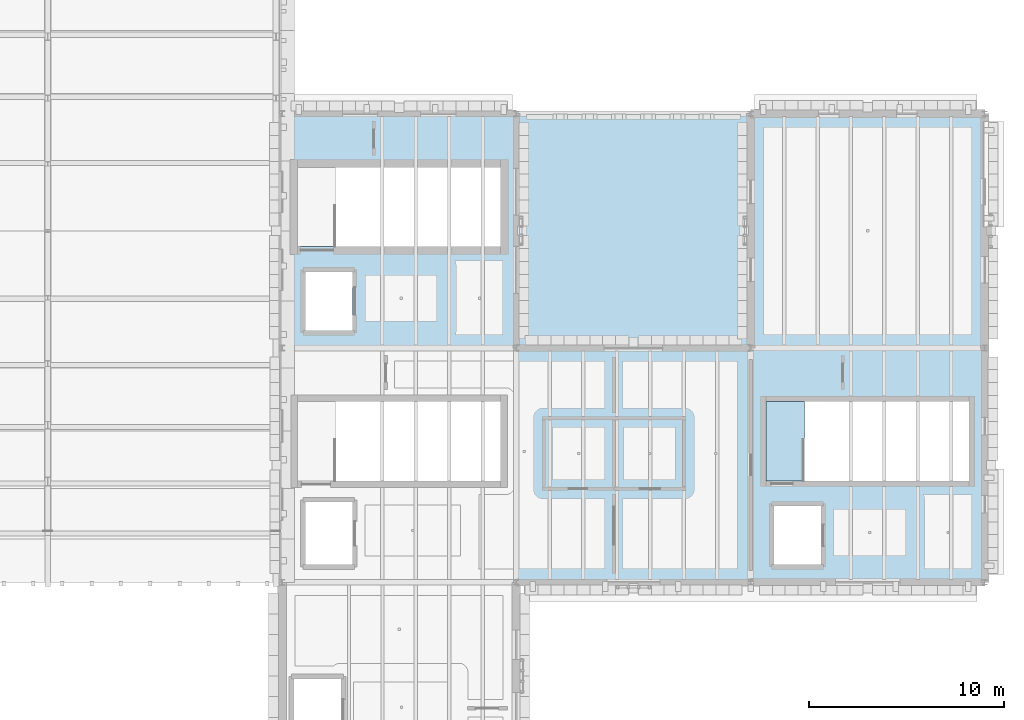
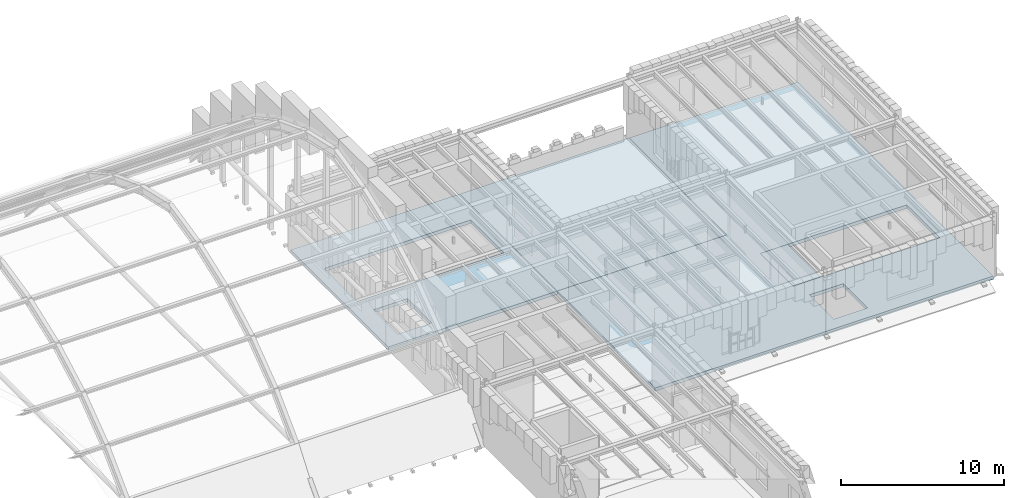
# One storey, part 9 of 35: 4 slabs.
"""IFC4 building model written with IfcOpenShell, lengths in metres."""

from ifc_helpers import new_model, si_unit, direction, frame, origin, place, context, subcontext, project, spatial, polyline, outline, extrude, material, layer, layer_set, type_object, element, save


model = new_model("IFC4")

# Units and contexts
model_context = context("Model", 3, precision=1e-05, world=origin(), true_north=direction((0.0, 1.0)))
body_context = subcontext(model_context, "Body", "Model", "MODEL_VIEW")
ifc_project = project(units=[si_unit("LENGTHUNIT", "METRE"), si_unit("AREAUNIT", "SQUARE_METRE"), si_unit("VOLUMEUNIT", "CUBIC_METRE"), si_unit("PLANEANGLEUNIT", "RADIAN"), si_unit("MASSUNIT", "GRAM", prefix="KILO")], contexts=[model_context])

# Site, building, storey
site_placement = place(None, origin())
site = spatial("IfcSite", under=ifc_project, at=site_placement, CompositionType="ELEMENT")
building_placement = place(site_placement, origin())
building = spatial("IfcBuilding", under=site, at=building_placement, Name="Zlatogorsky Bluff Art Gallery", CompositionType="ELEMENT")
storey_placement = place(building_placement, frame((0.0, 0.0, 23.39990234375)))
storey = spatial("IfcBuildingStorey", under=building, at=storey_placement, Name="L04", CompositionType="ELEMENT", Elevation=23.39990234375)

# Slabs
ifc_material = material(Name="Concrete C30/37", Category="concrete")
ifc_layer_1 = layer(ifc_material, 0.219970703125)
ifc_layer_set_1 = layer_set([ifc_layer_1], Name="Slab RF-FL1 220mm")
slab_type_1 = type_object("IfcSlabType", Name="Slab RF-FL1 220mm", PredefinedType="ROOF", material=ifc_layer_set_1)
slab_1_placement = place(storey_placement, frame((0.0, 0.0, -0.219970703125)))
element("IfcSlab", 1, at=slab_1_placement, inside=storey, type_object=slab_type_1, Name="L04 flat insulated roof slab 1", PredefinedType="ROOF", context=body_context, shape_type="SweptSolid", body=[
    extrude(outline(polyline([(144.0, 96.0), (144.0, 108.0), (132.0, 108.0), (132.0, 96.0), (144.0, 96.0)])), origin(), (0.0, 0.0, 1.0), 0.219970703125),
])
ifc_layer_2 = layer(ifc_material, 0.25)
ifc_layer_set_2 = layer_set([ifc_layer_2], Name="Slab SL-04 250mm")
slab_type_2 = type_object("IfcSlabType", Name="Slab SL-04 250mm", PredefinedType="FLOOR", material=ifc_layer_set_2)
slab_2_placement = place(storey_placement, frame((0.0, 0.0, -0.25)))
element("IfcSlab", 2, at=slab_2_placement, inside=storey, type_object=slab_type_2, Name="L04 structural floor slab panel 02", PredefinedType="FLOOR", context=body_context, shape_type="SweptSolid", body=[
    extrude(outline(polyline([(120.0, 96.0), (120.0, 108.0), (132.0, 108.0), (132.0, 96.0), (120.0, 96.0)]), holes=[polyline([(121.199951171875, 99.89990234375), (121.199951171875, 96.89990234375), (123.60009765625, 96.89990234375), (123.60009765625, 99.89990234375), (121.199951171875, 99.89990234375)]), polyline([(131.199951171875, 105.25), (120.800048828125, 105.25), (120.800048828125, 101.199951171875), (131.199951171875, 101.199951171875), (131.199951171875, 105.25)])]), origin(), (0.0, 0.0, 1.0), 0.25),
])
slab_3_placement = place(storey_placement, frame((0.0, 0.0, -0.25)))
element("IfcSlab", 3, at=slab_3_placement, inside=storey, type_object=slab_type_2, Name="L04 structural floor slab panel 03", PredefinedType="FLOOR", context=body_context, shape_type="SweptSolid", body=[
    extrude(outline(polyline([(132.0, 96.0), (144.0, 96.0), (144.0, 108.0), (156.0, 108.0), (156.0, 96.0), (156.0, 84.0), (144.0, 84.0), (132.0, 84.0), (132.0, 96.0)]), holes=[polyline([(145.199951171875, 87.89990234375), (145.199951171875, 84.89990234375), (147.60009765625, 84.89990234375), (147.60009765625, 87.89990234375), (145.199951171875, 87.89990234375)]), polyline([(155.199951171875, 93.25), (144.800048828125, 93.25), (144.800048828125, 89.199951171875), (155.199951171875, 89.199951171875), (155.199951171875, 93.25)])]), origin(), (0.0, 0.0, 1.0), 0.25),
])
slab_4_placement = place(storey_placement, frame((0.0, 0.0, -0.25)))
element("IfcSlab", 4, at=slab_4_placement, inside=storey, type_object=slab_type_2, Name="L04 stair ST-04 structural floor landing slab", PredefinedType="FLOOR", context=body_context, shape_type="SweptSolid", body=[
    extrude(outline(polyline([(144.800048828125, 89.199951171875), (146.75, 89.199951171875), (146.75, 93.25), (144.800048828125, 93.25), (144.800048828125, 89.199951171875)])), origin(), (0.0, 0.0, 1.0), 0.25),
])

save(model, "model.ifc")
